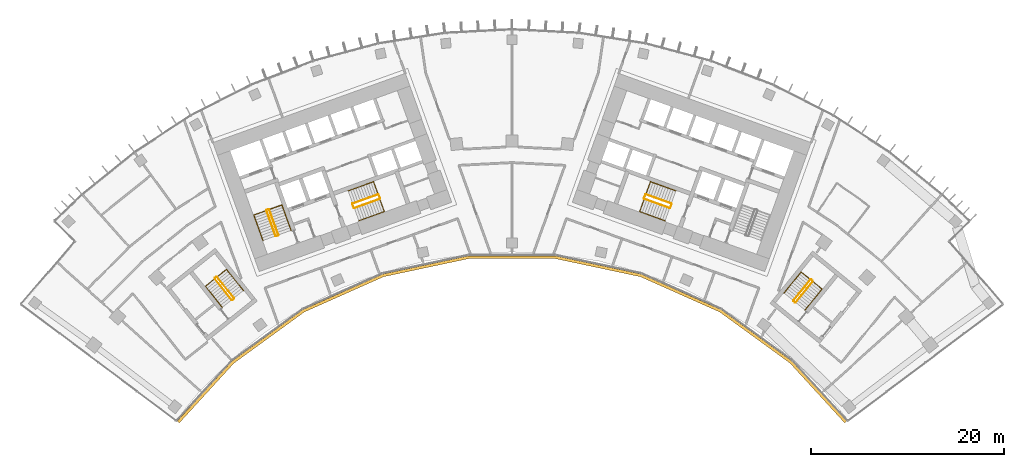
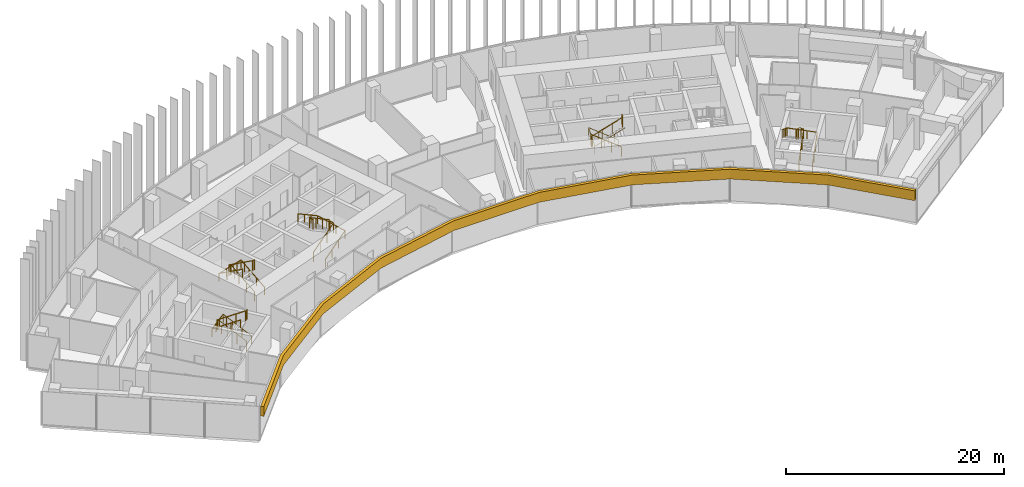
# One storey, part 21 of 22: 15 railings, 1 covering.
"""IFC4 building model written with IfcOpenShell, lengths in metres."""

import ifcopenshell
import ifcopenshell.guid

model = None  # the IFC model being written
_history = None  # IfcOwnerHistory: only IFC2X3 demands one
_inside = {}  # id of a spatial element -> (the spatial element, [elements in it])
_under = {}  # id of a project, library or spatial element -> (it, [spatial elements below it])
_declared = {}  # id of a project -> (the project, [libraries it declares])
_typed = {}  # id of a type object -> (the type object, [elements of that type])
_made_of = {}  # id of a material, layer set ... -> (it, [elements and type objects made of it])


def new_model(schema):
    """Start an empty IFC model of exactly this schema.

    Asked for "IFC4X3", IfcOpenShell would pick the latest addendum, in which some entities
    have other attributes; the version numbers below select the first issue.
    IFC2X3 requires an IfcOwnerHistory on every rooted entity: one is made here for all.
    """
    global model, _history
    if schema == "IFC4X3":
        model = ifcopenshell.file(schema_version=(4, 3, 0, 0))
    else:
        model = ifcopenshell.file(schema=schema)
    _inside.clear()
    _under.clear()
    _declared.clear()
    _typed.clear()
    _made_of.clear()
    _history = None
    if model.schema == "IFC2X3":
        org = make("IfcOrganization", Name="unknown")
        user = make(
            "IfcPersonAndOrganization",
            ThePerson=make("IfcPerson", FamilyName="unknown"),
            TheOrganization=org,
        )
        app = make(
            "IfcApplication",
            ApplicationDeveloper=org,
            Version="unknown",
            ApplicationFullName="unknown",
            ApplicationIdentifier="unknown",
        )
        _history = make(
            "IfcOwnerHistory",
            OwningUser=user,
            OwningApplication=app,
            ChangeAction="ADDED",
            CreationDate=0,
        )
    return model


def make(cls, **values):
    """One entity of the class cls with the attributes given. An attribute that is None is left unset."""
    return model.create_entity(
        cls, **{name: value for name, value in values.items() if value is not None}
    )


def rooted(cls, **values):
    """An entity with a GlobalId (a new one), such as an element, a storey or a relation."""
    return make(cls, GlobalId=ifcopenshell.guid.new(), OwnerHistory=_history, **values)


def si_unit(unit_type, name, prefix=None):
    """IfcSIUnit, for example si_unit("LENGTHUNIT", "METRE", prefix="MILLI")."""
    return make("IfcSIUnit", UnitType=unit_type, Prefix=prefix, Name=name)


def assignment(units):
    """IfcUnitAssignment: the units of a project."""
    return None if units is None else make("IfcUnitAssignment", Units=units)


def point(xyz):
    """IfcCartesianPoint."""
    return None if xyz is None else make("IfcCartesianPoint", Coordinates=xyz)


def direction(xyz):
    """IfcDirection."""
    return None if xyz is None else make("IfcDirection", DirectionRatios=xyz)


def frame(location, z_axis=None, x_axis=None):
    """IfcAxis2Placement3D, a coordinate frame: its origin and axes. An axis left out is left unset."""
    return make(
        "IfcAxis2Placement3D",
        Location=point(location),
        Axis=direction(z_axis),
        RefDirection=direction(x_axis),
    )


def frame_2d(location, x_axis=None):
    """IfcAxis2Placement2D, a coordinate frame in the plane: its origin and x axis."""
    return make(
        "IfcAxis2Placement2D", Location=point(location), RefDirection=direction(x_axis)
    )


def origin():
    """The frame at (0, 0, 0) with its axes left unset."""
    return frame((0.0, 0.0, 0.0))


def origin_2d():
    """The frame at (0, 0) in the plane with its x axis left unset."""
    return frame_2d((0.0, 0.0))


def place(relative_to, where):
    """IfcLocalPlacement: puts the frame where relative to a parent placement (None: the world)."""
    return make(
        "IfcLocalPlacement", PlacementRelTo=relative_to, RelativePlacement=where
    )


def context(
    kind, dimensions, precision=None, world=None, true_north=None, identifier=None
):
    """IfcGeometricRepresentationContext, for example the 3D "Model" context."""
    return make(
        "IfcGeometricRepresentationContext",
        ContextIdentifier=identifier,
        ContextType=kind,
        CoordinateSpaceDimension=dimensions,
        Precision=precision,
        WorldCoordinateSystem=world,
        TrueNorth=true_north,
    )


def subcontext(parent, identifier, kind, view, scale=None):
    """IfcGeometricRepresentationSubContext, for example "Body" below "Model"."""
    return make(
        "IfcGeometricRepresentationSubContext",
        ContextIdentifier=identifier,
        ContextType=kind,
        ParentContext=parent,
        TargetScale=scale,
        TargetView=view,
    )


def project(units=None, contexts=None):
    """IfcProject with its units and contexts."""
    return rooted(
        "IfcProject",
        Name="project",
        RepresentationContexts=contexts,
        UnitsInContext=assignment(units),
    )


def spatial(cls, under=None, at=None, **own):
    """A site, building, storey or space (cls), placed at a placement, below another one or the project."""
    s = rooted(cls, ObjectPlacement=at, **own)
    if under is not None:
        _under.setdefault(under.id(), (under, []))[1].append(s)
    return s


def polyline(points):
    """IfcPolyline through the points."""
    return make("IfcPolyline", Points=[point(p) for p in points])


def profile(cls, at=None, kind="AREA", **sizes):
    """A parametric profile (cls). Its sizes go by their IFC names, for example OverallWidth=200.0."""
    return make(cls, ProfileType=kind, Position=at, **sizes)


def circle(**sizes):
    """IfcCircleProfileDef."""
    return profile("IfcCircleProfileDef", **sizes)


def outline(outer, holes=None, kind="AREA"):
    """IfcArbitraryClosedProfileDef: a profile drawn as a closed curve; with holes, ...WithVoids."""
    if holes is None:
        return make("IfcArbitraryClosedProfileDef", ProfileType=kind, OuterCurve=outer)
    return make(
        "IfcArbitraryProfileDefWithVoids",
        ProfileType=kind,
        OuterCurve=outer,
        InnerCurves=holes,
    )


def extrude(swept, where, along, depth):
    """IfcExtrudedAreaSolid: the profile swept, set in the frame where, extruded along a direction by depth."""
    return make(
        "IfcExtrudedAreaSolid",
        SweptArea=swept,
        Position=where,
        ExtrudedDirection=direction(along),
        Depth=depth,
    )


def shape(context_of_items, identifier, shape_type, items):
    """IfcShapeRepresentation: the items that make up one representation, for example the "Body"."""
    return make(
        "IfcShapeRepresentation",
        ContextOfItems=context_of_items,
        RepresentationIdentifier=identifier,
        RepresentationType=shape_type,
        Items=items,
    )


def material(Name=None, Category=None):
    """IfcMaterial."""
    return make("IfcMaterial", Name=Name, Category=Category)


def layer(
    of_material, thickness, ventilated=None, Name=None, Category=None, Priority=None
):
    """IfcMaterialLayer: one layer of a wall or slab, of a material (None: an air gap)."""
    return make(
        "IfcMaterialLayer",
        Material=of_material,
        LayerThickness=thickness,
        IsVentilated=ventilated,
        Name=Name,
        Category=Category,
        Priority=Priority,
    )


def layer_set(layers, Name=None):
    """IfcMaterialLayerSet."""
    return make("IfcMaterialLayerSet", MaterialLayers=layers, LayerSetName=Name)


def made_of(thing, what):
    """Note that an element or type object is made of a material, layer set ...; save() writes the relation."""
    if what is not None:
        _made_of.setdefault(what.id(), (what, []))[1].append(thing)
    return thing


def type_object(cls, material=None, **own):
    """A type object (cls), such as IfcWallType, which elements share."""
    return made_of(rooted(cls, **own), material)


def element(
    cls,
    number,
    at=None,
    inside=None,
    cuts=None,
    type_object=None,
    material=None,
    context=None,
    identifier="Body",
    shape_type=None,
    held_by="IfcProductDefinitionShape",
    body=None,
    shapes=None,
    **own,
):
    """One element of the class cls, such as IfcWall. Its Tag is "e" and its number.

    at: its placement. inside: the storey or other place that contains it. cuts: it is an
    opening in that element (IfcRelVoidsElement). A single representation is given by context,
    identifier, shape_type and body (its items); several are given by shapes. held_by: the class
    of the entity that holds the representations. save() writes the other relations.
    """
    e = rooted(cls, Tag="e%d" % number, ObjectPlacement=at, **own)
    if body is not None:
        shapes = [shape(context, identifier, shape_type, body)]
    if shapes is not None:
        e.Representation = make(held_by, Representations=shapes)
    if inside is not None:
        _inside.setdefault(inside.id(), (inside, []))[1].append(e)
    if cuts is not None:
        rooted(
            "IfcRelVoidsElement", RelatingBuildingElement=cuts, RelatedOpeningElement=e
        )
    if type_object is not None:
        _typed.setdefault(type_object.id(), (type_object, []))[1].append(e)
    return made_of(e, material)


def aggregate(whole, parts):
    """IfcRelAggregates: a whole, such as a stair, and the parts it consists of."""
    return rooted("IfcRelAggregates", RelatingObject=whole, RelatedObjects=parts)


def save(model, path):
    """Write the relations noted so far, then the file.

    IfcRelAggregates (storeys below a building ...), IfcRelContainedInSpatialStructure (elements
    in a storey), IfcRelDefinesByType, IfcRelAssociatesMaterial and IfcRelDeclares: one each for
    every whole, place, type object, material and project.
    """
    for whole, parts in _under.values():
        aggregate(whole, parts)
    for where, things in _inside.values():
        rooted(
            "IfcRelContainedInSpatialStructure",
            RelatedElements=things,
            RelatingStructure=where,
        )
    for kind, things in _typed.values():
        rooted("IfcRelDefinesByType", RelatedObjects=things, RelatingType=kind)
    for what, things in _made_of.values():
        rooted("IfcRelAssociatesMaterial", RelatedObjects=things, RelatingMaterial=what)
    for by, libraries in _declared.values():
        rooted("IfcRelDeclares", RelatingContext=by, RelatedDefinitions=libraries)
    model.write(path)


model = new_model("IFC4")

# Units and contexts
model_context = context("Model", 3, precision=1e-05, world=origin(), true_north=direction((0.0, 1.0)))
body_context = subcontext(model_context, "Body", "Model", "MODEL_VIEW")
ifc_project = project(units=[si_unit("LENGTHUNIT", "METRE"), si_unit("AREAUNIT", "SQUARE_METRE"), si_unit("VOLUMEUNIT", "CUBIC_METRE"), si_unit("PLANEANGLEUNIT", "RADIAN"), si_unit("MASSUNIT", "GRAM", prefix="KILO")], contexts=[model_context])

# Site, building, storey
site_placement = place(None, origin())
site = spatial("IfcSite", under=ifc_project, at=site_placement, CompositionType="ELEMENT")
building_placement = place(site_placement, origin())
building = spatial("IfcBuilding", under=site, at=building_placement, Name="Stone Belt Terrace Tower", CompositionType="ELEMENT")
storey_placement = place(building_placement, frame((0.0, 0.0, 155.39990234375)))
storey = spatial("IfcBuildingStorey", under=building, at=storey_placement, Name="L37", CompositionType="ELEMENT", Elevation=155.39990234375)

# Railings
ifc_material_1 = material(Name="Structural steel C345", Category="steel")
railing_type_1 = type_object("IfcRailingType", Name="Stair guard 1100", PredefinedType="GUARDRAIL", material=ifc_material_1)
railing_1_placement = place(storey_placement, frame((-24.2119140625, 45.276123046875, 0.1728515625)))
element("IfcRailing", 1, at=railing_1_placement, inside=storey, type_object=railing_type_1, Name="L37 ST1A stair guard 1", PredefinedType="GUARDRAIL", context=body_context, shape_type="SweptSolid", body=[
    extrude(circle(Radius=0.02392578125, at=origin_2d()), frame((0.0, 0.0, 1.076171875), z_axis=(-0.288228637646, 0.800791768495, 0.525030280985), x_axis=(-0.940908529223, -0.338660803216, 0.0)), (0.0, 0.0, 1.0), 3.289794921875),
    extrude(circle(Radius=0.02392578125, at=origin_2d()), frame((-0.9482421875, 2.634521484375, 2.80322265625), z_axis=(-0.905209821074, 0.424964916, 0.0), x_axis=(-0.424964916, -0.905209821074, 0.0)), (0.0, 0.0, 1.0), 0.070556640625),
    extrude(circle(Radius=0.02392578125, at=origin_2d()), frame((-1.01220703125, 2.66455078125, 2.80322265625), z_axis=(-0.941105063269, -0.338114270461, 0.0), x_axis=(0.338114270461, -0.941105063269, 0.0)), (0.0, 0.0, 1.0), 0.199951171875),
    extrude(circle(Radius=0.02099609375, at=origin_2d()), origin(), (0.0, 0.0, 1.0), 1.052001953125),
    extrude(circle(Radius=0.02099609375, at=origin_2d()), frame((-0.316162109375, 0.878173828125, 0.57568359375)), (0.0, 0.0, 1.0), 1.052001953125),
    extrude(circle(Radius=0.02099609375, at=origin_2d()), frame((-0.632080078125, 1.75634765625, 1.151611328125)), (0.0, 0.0, 1.0), 1.052001953125),
    extrude(circle(Radius=0.02099609375, at=origin_2d()), frame((-0.9482421875, 2.634521484375, 1.727294921875)), (0.0, 0.0, 1.0), 1.052001953125),
    extrude(circle(Radius=0.02099609375, at=origin_2d()), frame((-1.01220703125, 2.66455078125, 1.727294921875)), (0.0, 0.0, 1.0), 1.052001953125),
    extrude(circle(Radius=0.02099609375, at=origin_2d()), frame((-1.200439453125, 2.596923828125, 1.727294921875)), (0.0, 0.0, 1.0), 1.052001953125),
])
railing_2_placement = place(storey_placement, frame((-25.4423828125, 47.80908203125, 2.07275390625)))
element("IfcRailing", 2, at=railing_2_placement, inside=storey, type_object=railing_type_1, Name="L37 ST1A stair guard 2", PredefinedType="GUARDRAIL", context=body_context, shape_type="SweptSolid", body=[
    extrude(circle(Radius=0.02392578125, at=origin_2d()), frame((0.0, 0.0, 1.076171875), z_axis=(0.288228637646, -0.800791768495, 0.525030280985), x_axis=(0.940908529223, 0.338660803216, 0.0)), (0.0, 0.0, 1.0), 3.289794921875),
    extrude(circle(Radius=0.02392578125, at=origin_2d()), frame((0.9482421875, -2.634521484375, 2.80322265625), z_axis=(0.903878284585, -0.427789722475, 0.0), x_axis=(0.427789722475, 0.903878284585, 0.0)), (0.0, 0.0, 1.0), 0.07080078125),
    extrude(circle(Radius=0.02392578125, at=origin_2d()), frame((1.01220703125, -2.664794921875, 2.80322265625), z_axis=(0.940575576748, 0.339584429008, 0.0), x_axis=(-0.339584429008, 0.940575576748, 0.0)), (0.0, 0.0, 1.0), 0.199951171875),
    extrude(circle(Radius=0.02099609375, at=origin_2d()), origin(), (0.0, 0.0, 1.0), 1.052001953125),
    extrude(circle(Radius=0.02099609375, at=origin_2d()), frame((0.316162109375, -0.878173828125, 0.57568359375)), (0.0, 0.0, 1.0), 1.052001953125),
    extrude(circle(Radius=0.02099609375, at=origin_2d()), frame((0.632080078125, -1.75634765625, 1.151611328125)), (0.0, 0.0, 1.0), 1.052001953125),
    extrude(circle(Radius=0.02099609375, at=origin_2d()), frame((0.9482421875, -2.634521484375, 1.727294921875)), (0.0, 0.0, 1.0), 1.052001953125),
    extrude(circle(Radius=0.02099609375, at=origin_2d()), frame((1.01220703125, -2.664794921875, 1.727294921875)), (0.0, 0.0, 1.0), 1.052001953125),
    extrude(circle(Radius=0.02099609375, at=origin_2d()), frame((1.2001953125, -2.596923828125, 1.727294921875)), (0.0, 0.0, 1.0), 1.052001953125),
])
railing_3_placement = place(storey_placement, frame((-16.33837890625, 48.056640625, 0.1728515625)))
element("IfcRailing", 3, at=railing_3_placement, inside=storey, type_object=railing_type_1, Name="L37 ST2A stair guard 1", PredefinedType="GUARDRAIL", context=body_context, shape_type="SweptSolid", body=[
    extrude(circle(Radius=0.02392578125, at=origin_2d()), frame((0.0, 0.0, 1.076171875), z_axis=(0.800808895155, 0.288160591223, 0.52504150989), x_axis=(-0.338583606334, 0.940936311087, 0.0)), (0.0, 0.0, 1.0), 3.289794921875),
    extrude(circle(Radius=0.02392578125, at=origin_2d()), frame((2.634521484375, 0.947998046875, 2.80322265625), z_axis=(0.427789722475, 0.903878284585, 0.0), x_axis=(-0.903878284585, 0.427789722475, 0.0)), (0.0, 0.0, 1.0), 0.07080078125),
    extrude(circle(Radius=0.02392578125, at=origin_2d()), frame((2.664794921875, 1.011962890625, 2.80322265625), z_axis=(-0.338654645739, 0.940910745459, 0.0), x_axis=(-0.940910745459, -0.338654645739, 0.0)), (0.0, 0.0, 1.0), 0.400146484375),
    extrude(circle(Radius=0.02099609375, at=origin_2d()), origin(), (0.0, 0.0, 1.0), 1.052001953125),
    extrude(circle(Radius=0.02099609375, at=origin_2d()), frame((0.878173828125, 0.31591796875, 0.57568359375)), (0.0, 0.0, 1.0), 1.052001953125),
    extrude(circle(Radius=0.02099609375, at=origin_2d()), frame((1.75634765625, 0.632080078125, 1.151611328125)), (0.0, 0.0, 1.0), 1.052001953125),
    extrude(circle(Radius=0.02099609375, at=origin_2d()), frame((2.634521484375, 0.947998046875, 1.727294921875)), (0.0, 0.0, 1.0), 1.052001953125),
    extrude(circle(Radius=0.02099609375, at=origin_2d()), frame((2.664794921875, 1.011962890625, 1.727294921875)), (0.0, 0.0, 1.0), 1.052001953125),
    extrude(circle(Radius=0.02099609375, at=origin_2d()), frame((2.529296875, 1.388427734375, 1.727294921875)), (0.0, 0.0, 1.0), 1.052001953125),
])
railing_4_placement = place(storey_placement, frame((-13.873046875, 49.47509765625, 2.07275390625)))
element("IfcRailing", 4, at=railing_4_placement, inside=storey, type_object=railing_type_1, Name="L37 ST2A stair guard 2", PredefinedType="GUARDRAIL", context=body_context, shape_type="SweptSolid", body=[
    extrude(circle(Radius=0.02392578125, at=origin_2d()), frame((0.0, 0.0, 1.076171875), z_axis=(-0.800808895155, -0.288160591223, 0.52504150989), x_axis=(0.338583606334, -0.940936311087, 0.0)), (0.0, 0.0, 1.0), 3.289794921875),
    extrude(circle(Radius=0.02392578125, at=origin_2d()), frame((-2.634521484375, -0.947998046875, 2.80322265625), z_axis=(-0.427789722475, -0.903878284585, 0.0), x_axis=(0.903878284585, -0.427789722475, 0.0)), (0.0, 0.0, 1.0), 0.07080078125),
    extrude(circle(Radius=0.02392578125, at=origin_2d()), frame((-2.664794921875, -1.011962890625, 2.80322265625), z_axis=(0.338654645739, -0.940910745459, 0.0), x_axis=(0.940910745459, 0.338654645739, 0.0)), (0.0, 0.0, 1.0), 0.400146484375),
    extrude(circle(Radius=0.02099609375, at=origin_2d()), origin(), (0.0, 0.0, 1.0), 1.052001953125),
    extrude(circle(Radius=0.02099609375, at=origin_2d()), frame((-0.878173828125, -0.31591796875, 0.57568359375)), (0.0, 0.0, 1.0), 1.052001953125),
    extrude(circle(Radius=0.02099609375, at=origin_2d()), frame((-1.75634765625, -0.632080078125, 1.151611328125)), (0.0, 0.0, 1.0), 1.052001953125),
    extrude(circle(Radius=0.02099609375, at=origin_2d()), frame((-2.634521484375, -0.947998046875, 1.727294921875)), (0.0, 0.0, 1.0), 1.052001953125),
    extrude(circle(Radius=0.02099609375, at=origin_2d()), frame((-2.664794921875, -1.011962890625, 1.727294921875)), (0.0, 0.0, 1.0), 1.052001953125),
    extrude(circle(Radius=0.02099609375, at=origin_2d()), frame((-2.529296875, -1.388427734375, 1.727294921875)), (0.0, 0.0, 1.0), 1.052001953125),
])
railing_5_placement = place(storey_placement, frame((16.507568359375, 48.527099609375, 0.1728515625)))
element("IfcRailing", 5, at=railing_5_placement, inside=storey, type_object=railing_type_1, Name="L37 ST2B stair guard 1", PredefinedType="GUARDRAIL", context=body_context, shape_type="SweptSolid", body=[
    extrude(circle(Radius=0.02392578125, at=origin_2d()), frame((0.0, 0.0, 1.076171875), z_axis=(-0.800808895155, 0.288160591223, 0.52504150989), x_axis=(-0.338583606334, -0.940936311087, 0.0)), (0.0, 0.0, 1.0), 3.289794921875),
    extrude(circle(Radius=0.02392578125, at=origin_2d()), frame((-2.634521484375, 0.947998046875, 2.80322265625), z_axis=(-0.905209821074, -0.424964916, 0.0), x_axis=(0.424964916, -0.905209821074, 0.0)), (0.0, 0.0, 1.0), 0.070556640625),
    extrude(circle(Radius=0.02392578125, at=origin_2d()), frame((-2.698486328125, 0.91796875, 2.80322265625), z_axis=(-0.338654645739, -0.940910745459, 0.0), x_axis=(0.940910745459, -0.338654645739, 0.0)), (0.0, 0.0, 1.0), 0.400146484375),
    extrude(circle(Radius=0.02099609375, at=origin_2d()), origin(), (0.0, 0.0, 1.0), 1.052001953125),
    extrude(circle(Radius=0.02099609375, at=origin_2d()), frame((-0.878173828125, 0.31591796875, 0.57568359375)), (0.0, 0.0, 1.0), 1.052001953125),
    extrude(circle(Radius=0.02099609375, at=origin_2d()), frame((-1.75634765625, 0.632080078125, 1.151611328125)), (0.0, 0.0, 1.0), 1.052001953125),
    extrude(circle(Radius=0.02099609375, at=origin_2d()), frame((-2.634521484375, 0.947998046875, 1.727294921875)), (0.0, 0.0, 1.0), 1.052001953125),
    extrude(circle(Radius=0.02099609375, at=origin_2d()), frame((-2.698486328125, 0.91796875, 1.727294921875)), (0.0, 0.0, 1.0), 1.052001953125),
    extrude(circle(Radius=0.02099609375, at=origin_2d()), frame((-2.833984375, 0.54150390625, 1.727294921875)), (0.0, 0.0, 1.0), 1.052001953125),
])
railing_6_placement = place(storey_placement, frame((13.703857421875, 49.004638671875, 2.07275390625)))
element("IfcRailing", 6, at=railing_6_placement, inside=storey, type_object=railing_type_1, Name="L37 ST2B stair guard 2", PredefinedType="GUARDRAIL", context=body_context, shape_type="SweptSolid", body=[
    extrude(circle(Radius=0.02392578125, at=origin_2d()), frame((0.0, 0.0, 1.076171875), z_axis=(0.800808895155, -0.288160591223, 0.52504150989), x_axis=(0.338583606334, 0.940936311087, 0.0)), (0.0, 0.0, 1.0), 3.289794921875),
    extrude(circle(Radius=0.02392578125, at=origin_2d()), frame((2.634521484375, -0.947998046875, 2.80322265625), z_axis=(0.905209821074, 0.424964916, 0.0), x_axis=(-0.424964916, 0.905209821074, 0.0)), (0.0, 0.0, 1.0), 0.070556640625),
    extrude(circle(Radius=0.02392578125, at=origin_2d()), frame((2.698486328125, -0.91796875, 2.80322265625), z_axis=(0.338654645739, 0.940910745459, 0.0), x_axis=(-0.940910745459, 0.338654645739, 0.0)), (0.0, 0.0, 1.0), 0.400146484375),
    extrude(circle(Radius=0.02099609375, at=origin_2d()), origin(), (0.0, 0.0, 1.0), 1.052001953125),
    extrude(circle(Radius=0.02099609375, at=origin_2d()), frame((0.878173828125, -0.31591796875, 0.57568359375)), (0.0, 0.0, 1.0), 1.052001953125),
    extrude(circle(Radius=0.02099609375, at=origin_2d()), frame((1.75634765625, -0.632080078125, 1.151611328125)), (0.0, 0.0, 1.0), 1.052001953125),
    extrude(circle(Radius=0.02099609375, at=origin_2d()), frame((2.634521484375, -0.947998046875, 1.727294921875)), (0.0, 0.0, 1.0), 1.052001953125),
    extrude(circle(Radius=0.02099609375, at=origin_2d()), frame((2.698486328125, -0.91796875, 1.727294921875)), (0.0, 0.0, 1.0), 1.052001953125),
    extrude(circle(Radius=0.02099609375, at=origin_2d()), frame((2.833984375, -0.54150390625, 1.727294921875)), (0.0, 0.0, 1.0), 1.052001953125),
])
railing_7_placement = place(storey_placement, frame((-28.814208984375, 38.734619140625, 0.1728515625)))
element("IfcRailing", 7, at=railing_7_placement, inside=storey, type_object=railing_type_1, Name="L37 ST3A stair guard 1", PredefinedType="GUARDRAIL", context=body_context, shape_type="SweptSolid", body=[
    extrude(circle(Radius=0.02392578125, at=origin_2d()), frame((0.0, 0.0, 1.076171875), z_axis=(-0.530306321799, 0.665665785969, 0.525037395288), x_axis=(-0.782143211408, -0.623098705543, 0.0)), (0.0, 0.0, 1.0), 3.289794921875),
    extrude(circle(Radius=0.02392578125, at=origin_2d()), frame((-1.74462890625, 2.18994140625, 2.80322265625), z_axis=(-0.993883734674, 0.110431526075, 0.0), x_axis=(-0.110431526075, -0.993883734674, 0.0)), (0.0, 0.0, 1.0), 0.07080078125),
    extrude(circle(Radius=0.02392578125, at=origin_2d()), frame((-1.81494140625, 2.19775390625, 2.80322265625), z_axis=(-0.782533463299, -0.622608527742, 0.0), x_axis=(0.622608527742, -0.782533463299, 0.0)), (0.0, 0.0, 1.0), 0.199951171875),
    extrude(circle(Radius=0.02099609375, at=origin_2d()), origin(), (0.0, 0.0, 1.0), 1.052001953125),
    extrude(circle(Radius=0.02099609375, at=origin_2d()), frame((-0.58154296875, 0.72998046875, 0.57568359375)), (0.0, 0.0, 1.0), 1.052001953125),
    extrude(circle(Radius=0.02099609375, at=origin_2d()), frame((-1.1630859375, 1.4599609375, 1.151611328125)), (0.0, 0.0, 1.0), 1.052001953125),
    extrude(circle(Radius=0.02099609375, at=origin_2d()), frame((-1.74462890625, 2.18994140625, 1.727294921875)), (0.0, 0.0, 1.0), 1.052001953125),
    extrude(circle(Radius=0.02099609375, at=origin_2d()), frame((-1.81494140625, 2.19775390625, 1.727294921875)), (0.0, 0.0, 1.0), 1.052001953125),
    extrude(circle(Radius=0.02099609375, at=origin_2d()), frame((-1.971435546875, 2.0732421875, 1.727294921875)), (0.0, 0.0, 1.0), 1.052001953125),
])
railing_8_placement = place(storey_placement, frame((-30.793701171875, 40.737548828125, 2.07275390625)))
element("IfcRailing", 8, at=railing_8_placement, inside=storey, type_object=railing_type_1, Name="L37 ST3A stair guard 2", PredefinedType="GUARDRAIL", context=body_context, shape_type="SweptSolid", body=[
    extrude(circle(Radius=0.02392578125, at=origin_2d()), frame((0.0, 0.0, 1.076171875), z_axis=(0.530359659125, -0.665639588968, 0.525016732659), x_axis=(0.782100716982, 0.62315204284, 0.0)), (0.0, 0.0, 1.0), 3.2900390625),
    extrude(circle(Radius=0.02392578125, at=origin_2d()), frame((1.744873046875, -2.18994140625, 2.80322265625), z_axis=(0.993499272973, -0.113838458361, 0.0), x_axis=(0.113838458361, 0.993499272973, 0.0)), (0.0, 0.0, 1.0), 0.07080078125),
    extrude(circle(Radius=0.02392578125, at=origin_2d()), frame((1.815185546875, -2.197998046875, 2.80322265625), z_axis=(0.781464082609, 0.623950228458, 0.0), x_axis=(-0.623950228458, 0.781464082609, 0.0)), (0.0, 0.0, 1.0), 0.199951171875),
    extrude(circle(Radius=0.02099609375, at=origin_2d()), origin(), (0.0, 0.0, 1.0), 1.052001953125),
    extrude(circle(Radius=0.02099609375, at=origin_2d()), frame((0.58154296875, -0.72998046875, 0.57568359375)), (0.0, 0.0, 1.0), 1.052001953125),
    extrude(circle(Radius=0.02099609375, at=origin_2d()), frame((1.163330078125, -1.4599609375, 1.151611328125)), (0.0, 0.0, 1.0), 1.052001953125),
    extrude(circle(Radius=0.02099609375, at=origin_2d()), frame((1.744873046875, -2.18994140625, 1.727294921875)), (0.0, 0.0, 1.0), 1.052001953125),
    extrude(circle(Radius=0.02099609375, at=origin_2d()), frame((1.815185546875, -2.197998046875, 1.727294921875)), (0.0, 0.0, 1.0), 1.052001953125),
    extrude(circle(Radius=0.02099609375, at=origin_2d()), frame((1.971435546875, -2.0732421875, 1.727294921875)), (0.0, 0.0, 1.0), 1.052001953125),
])
railing_9_placement = place(storey_placement, frame((29.39794921875, 38.281982421875, 0.1728515625)))
element("IfcRailing", 9, at=railing_9_placement, inside=storey, type_object=railing_type_1, Name="L37 ST3B stair guard 1", PredefinedType="GUARDRAIL", context=body_context, shape_type="SweptSolid", body=[
    extrude(circle(Radius=0.02392578125, at=origin_2d()), frame((0.0, 0.0, 1.076171875), z_axis=(0.536393061503, 0.660769759217, 0.525038864158), x_axis=(-0.776391310223, 0.630251166924, 0.0)), (0.0, 0.0, 1.0), 3.289794921875),
    extrude(circle(Radius=0.02392578125, at=origin_2d()), frame((1.7646484375, 2.173828125, 2.80322265625), z_axis=(-0.103251414163, 0.994655289773, 0.0), x_axis=(-0.994655289773, -0.103251414163, 0.0)), (0.0, 0.0, 1.0), 0.071044921875),
    extrude(circle(Radius=0.02392578125, at=origin_2d()), frame((1.75732421875, 2.244384765625, 2.80322265625), z_axis=(-0.776561986372, 0.630040856868, 0.0), x_axis=(-0.630040856868, -0.776561986372, 0.0)), (0.0, 0.0, 1.0), 0.199951171875),
    extrude(circle(Radius=0.02099609375, at=origin_2d()), origin(), (0.0, 0.0, 1.0), 1.052001953125),
    extrude(circle(Radius=0.02099609375, at=origin_2d()), frame((0.588134765625, 0.724609375, 0.57568359375)), (0.0, 0.0, 1.0), 1.052001953125),
    extrude(circle(Radius=0.02099609375, at=origin_2d()), frame((1.176513671875, 1.44921875, 1.151611328125)), (0.0, 0.0, 1.0), 1.052001953125),
    extrude(circle(Radius=0.02099609375, at=origin_2d()), frame((1.7646484375, 2.173828125, 1.727294921875)), (0.0, 0.0, 1.0), 1.052001953125),
    extrude(circle(Radius=0.02099609375, at=origin_2d()), frame((1.75732421875, 2.244384765625, 1.727294921875)), (0.0, 0.0, 1.0), 1.052001953125),
    extrude(circle(Radius=0.02099609375, at=origin_2d()), frame((1.60205078125, 2.370361328125, 1.727294921875)), (0.0, 0.0, 1.0), 1.052001953125),
])
railing_10_placement = place(storey_placement, frame((30.9296875, 40.64501953125, 2.07275390625)))
element("IfcRailing", 10, at=railing_10_placement, inside=storey, type_object=railing_type_1, Name="L37 ST3B stair guard 2", PredefinedType="GUARDRAIL", context=body_context, shape_type="SweptSolid", body=[
    extrude(circle(Radius=0.02392578125, at=origin_2d()), frame((0.0, 0.0, 1.076171875), z_axis=(-0.536366759382, -0.660811565066, 0.525013118792), x_axis=(0.776425942316, -0.630208502084, 0.0)), (0.0, 0.0, 1.0), 3.2900390625),
    extrude(circle(Radius=0.02392578125, at=origin_2d()), frame((-1.7646484375, -2.174072265625, 2.80322265625), z_axis=(0.103606084259, -0.994618408891, 0.0), x_axis=(0.994618408891, 0.103606084259, 0.0)), (0.0, 0.0, 1.0), 0.07080078125),
    extrude(circle(Radius=0.02392578125, at=origin_2d()), frame((-1.75732421875, -2.244384765625, 2.80322265625), z_axis=(0.776561986372, -0.630040856868, 0.0), x_axis=(0.630040856868, 0.776561986372, 0.0)), (0.0, 0.0, 1.0), 0.199951171875),
    extrude(circle(Radius=0.02099609375, at=origin_2d()), origin(), (0.0, 0.0, 1.0), 1.052001953125),
    extrude(circle(Radius=0.02099609375, at=origin_2d()), frame((-0.588134765625, -0.724609375, 0.57568359375)), (0.0, 0.0, 1.0), 1.052001953125),
    extrude(circle(Radius=0.02099609375, at=origin_2d()), frame((-1.176513671875, -1.449462890625, 1.151611328125)), (0.0, 0.0, 1.0), 1.052001953125),
    extrude(circle(Radius=0.02099609375, at=origin_2d()), frame((-1.7646484375, -2.174072265625, 1.727294921875)), (0.0, 0.0, 1.0), 1.052001953125),
    extrude(circle(Radius=0.02099609375, at=origin_2d()), frame((-1.75732421875, -2.244384765625, 1.727294921875)), (0.0, 0.0, 1.0), 1.052001953125),
    extrude(circle(Radius=0.02099609375, at=origin_2d()), frame((-1.60205078125, -2.370361328125, 1.727294921875)), (0.0, 0.0, 1.0), 1.052001953125),
])
railing_type_2 = type_object("IfcRailingType", Name="Stair handrail 900", PredefinedType="HANDRAIL", material=ifc_material_1)
railing_11_placement = place(storey_placement, frame((-22.894775390625, 45.750244140625, 0.1728515625)))
element("IfcRailing", 11, at=railing_11_placement, inside=storey, type_object=railing_type_2, Name="L37 ST1A stair handrail 1", PredefinedType="HANDRAIL", context=body_context, shape_type="SweptSolid", body=[
    extrude(circle(Radius=0.02392578125, at=origin_2d()), frame((0.0, 0.0, 0.8759765625), z_axis=(-0.288160591223, 0.800808895155, 0.52504150989), x_axis=(-0.940936311087, -0.338583606334, 0.0)), (0.0, 0.0, 1.0), 3.289794921875),
    extrude(circle(Radius=0.02392578125, at=origin_2d()), frame((-0.947998046875, 2.634521484375, 2.60302734375), z_axis=(-0.939464517435, -0.338106580597, 0.055591012205), x_axis=(0.338630230244, -0.940919532779, 0.0)), (0.0, 0.0, 1.0), 3.10498046875),
    extrude(circle(Radius=0.02392578125, at=origin_2d()), frame((-3.864990234375, 1.584716796875, 2.77587890625), z_axis=(0.288228637646, -0.800791768495, 0.525030280985), x_axis=(0.940908529223, 0.338660803216, 0.0)), (0.0, 0.0, 1.0), 3.289794921875),
    extrude(circle(Radius=0.02099609375, at=origin_2d()), origin(), (0.0, 0.0, 1.0), 0.851806640625),
    extrude(circle(Radius=0.02099609375, at=origin_2d()), frame((-0.31591796875, 0.878173828125, 0.57568359375)), (0.0, 0.0, 1.0), 0.851806640625),
    extrude(circle(Radius=0.02099609375, at=origin_2d()), frame((-0.632080078125, 1.75634765625, 1.151611328125)), (0.0, 0.0, 1.0), 0.851806640625),
    extrude(circle(Radius=0.02099609375, at=origin_2d()), frame((-0.947998046875, 2.634521484375, 1.727294921875)), (0.0, 0.0, 1.0), 0.851806640625),
    extrude(circle(Radius=0.02099609375, at=origin_2d()), frame((-1.92041015625, 2.28466796875, 1.784912109375)), (0.0, 0.0, 1.0), 0.851806640625),
    extrude(circle(Radius=0.02099609375, at=origin_2d()), frame((-2.892578125, 1.9345703125, 1.84228515625)), (0.0, 0.0, 1.0), 0.851806640625),
    extrude(circle(Radius=0.02099609375, at=origin_2d()), frame((-3.864990234375, 1.584716796875, 1.89990234375)), (0.0, 0.0, 1.0), 0.851806640625),
    extrude(circle(Radius=0.02099609375, at=origin_2d()), frame((-3.548828125, 0.70654296875, 2.4755859375)), (0.0, 0.0, 1.0), 0.851806640625),
    extrude(circle(Radius=0.02099609375, at=origin_2d()), frame((-3.23291015625, -0.171630859375, 3.051513671875)), (0.0, 0.0, 1.0), 0.851806640625),
    extrude(circle(Radius=0.02099609375, at=origin_2d()), frame((-2.916748046875, -1.0498046875, 3.627197265625)), (0.0, 0.0, 1.0), 0.851806640625),
])
railing_12_placement = place(storey_placement, frame((-15.8642578125, 46.7392578125, 0.1728515625)))
element("IfcRailing", 12, at=railing_12_placement, inside=storey, type_object=railing_type_2, Name="L37 ST2A stair handrail 1", PredefinedType="HANDRAIL", context=body_context, shape_type="SweptSolid", body=[
    extrude(circle(Radius=0.02392578125, at=origin_2d()), frame((0.0, 0.0, 0.8759765625), z_axis=(0.800791768495, 0.288228637646, 0.525030280985), x_axis=(-0.338660803216, 0.940908529223, 0.0)), (0.0, 0.0, 1.0), 3.289794921875),
    extrude(circle(Radius=0.02392578125, at=origin_2d()), frame((2.634521484375, 0.9482421875, 2.60302734375), z_axis=(-0.338160254016, 0.939637778147, 0.052234935458), x_axis=(-0.940922302781, -0.338622533404, 0.0)), (0.0, 0.0, 1.0), 3.304443359375),
    extrude(circle(Radius=0.02392578125, at=origin_2d()), frame((1.51708984375, 4.05322265625, 2.77587890625), z_axis=(-0.800791768495, -0.288228637646, 0.525030280985), x_axis=(0.338660803216, -0.940908529223, 0.0)), (0.0, 0.0, 1.0), 3.289794921875),
    extrude(circle(Radius=0.02099609375, at=origin_2d()), origin(), (0.0, 0.0, 1.0), 0.851806640625),
    extrude(circle(Radius=0.02099609375, at=origin_2d()), frame((0.878173828125, 0.316162109375, 0.57568359375)), (0.0, 0.0, 1.0), 0.851806640625),
    extrude(circle(Radius=0.02099609375, at=origin_2d()), frame((1.75634765625, 0.632080078125, 1.151611328125)), (0.0, 0.0, 1.0), 0.851806640625),
    extrude(circle(Radius=0.02099609375, at=origin_2d()), frame((2.634521484375, 0.9482421875, 1.727294921875)), (0.0, 0.0, 1.0), 0.851806640625),
    extrude(circle(Radius=0.02099609375, at=origin_2d()), frame((2.261962890625, 1.983154296875, 1.784912109375)), (0.0, 0.0, 1.0), 0.851806640625),
    extrude(circle(Radius=0.02099609375, at=origin_2d()), frame((1.8896484375, 3.018310546875, 1.84228515625)), (0.0, 0.0, 1.0), 0.851806640625),
    extrude(circle(Radius=0.02099609375, at=origin_2d()), frame((1.51708984375, 4.05322265625, 1.89990234375)), (0.0, 0.0, 1.0), 0.851806640625),
    extrude(circle(Radius=0.02099609375, at=origin_2d()), frame((0.638916015625, 3.737060546875, 2.4755859375)), (0.0, 0.0, 1.0), 0.851806640625),
    extrude(circle(Radius=0.02099609375, at=origin_2d()), frame((-0.2392578125, 3.421142578125, 3.051513671875)), (0.0, 0.0, 1.0), 0.851806640625),
    extrude(circle(Radius=0.02099609375, at=origin_2d()), frame((-1.117431640625, 3.10498046875, 3.627197265625)), (0.0, 0.0, 1.0), 0.851806640625),
])
railing_13_placement = place(storey_placement, frame((16.981689453125, 49.84423828125, 0.1728515625)))
element("IfcRailing", 13, at=railing_13_placement, inside=storey, type_object=railing_type_2, Name="L37 ST2B stair handrail 1", PredefinedType="HANDRAIL", context=body_context, shape_type="SweptSolid", body=[
    extrude(circle(Radius=0.02392578125, at=origin_2d()), frame((0.0, 0.0, 0.8759765625), z_axis=(-0.800791768495, 0.288228637646, 0.525030280985), x_axis=(-0.338660803216, -0.940908529223, 0.0)), (0.0, 0.0, 1.0), 3.289794921875),
    extrude(circle(Radius=0.02392578125, at=origin_2d()), frame((-2.634521484375, 0.9482421875, 2.60302734375), z_axis=(-0.338160254016, -0.939637778147, 0.052234935458), x_axis=(0.940922302781, -0.338622533404, 0.0)), (0.0, 0.0, 1.0), 3.304443359375),
    extrude(circle(Radius=0.02392578125, at=origin_2d()), frame((-3.751953125, -2.15673828125, 2.77587890625), z_axis=(0.800791768495, -0.288228637646, 0.525030280985), x_axis=(0.338660803216, 0.940908529223, 0.0)), (0.0, 0.0, 1.0), 3.289794921875),
    extrude(circle(Radius=0.02099609375, at=origin_2d()), origin(), (0.0, 0.0, 1.0), 0.851806640625),
    extrude(circle(Radius=0.02099609375, at=origin_2d()), frame((-0.878173828125, 0.316162109375, 0.57568359375)), (0.0, 0.0, 1.0), 0.851806640625),
    extrude(circle(Radius=0.02099609375, at=origin_2d()), frame((-1.75634765625, 0.632080078125, 1.151611328125)), (0.0, 0.0, 1.0), 0.851806640625),
    extrude(circle(Radius=0.02099609375, at=origin_2d()), frame((-2.634521484375, 0.9482421875, 1.727294921875)), (0.0, 0.0, 1.0), 0.851806640625),
    extrude(circle(Radius=0.02099609375, at=origin_2d()), frame((-3.007080078125, -0.086669921875, 1.784912109375)), (0.0, 0.0, 1.0), 0.851806640625),
    extrude(circle(Radius=0.02099609375, at=origin_2d()), frame((-3.37939453125, -1.121826171875, 1.84228515625)), (0.0, 0.0, 1.0), 0.851806640625),
    extrude(circle(Radius=0.02099609375, at=origin_2d()), frame((-3.751953125, -2.15673828125, 1.89990234375)), (0.0, 0.0, 1.0), 0.851806640625),
    extrude(circle(Radius=0.02099609375, at=origin_2d()), frame((-2.873779296875, -2.472900390625, 2.4755859375)), (0.0, 0.0, 1.0), 0.851806640625),
    extrude(circle(Radius=0.02099609375, at=origin_2d()), frame((-1.99560546875, -2.788818359375, 3.051513671875)), (0.0, 0.0, 1.0), 0.851806640625),
    extrude(circle(Radius=0.02099609375, at=origin_2d()), frame((-1.117431640625, -3.10498046875, 3.627197265625)), (0.0, 0.0, 1.0), 0.851806640625),
])
railing_14_placement = place(storey_placement, frame((-27.836669921875, 39.513427734375, 0.1728515625)))
element("IfcRailing", 14, at=railing_14_placement, inside=storey, type_object=railing_type_2, Name="L37 ST3A stair handrail 1", PredefinedType="HANDRAIL", context=body_context, shape_type="SweptSolid", body=[
    extrude(circle(Radius=0.02392578125, at=origin_2d()), frame((0.0, 0.0, 0.8759765625), z_axis=(-0.530306321799, 0.665665785969, 0.525037395288), x_axis=(-0.782143211408, -0.623098705543, 0.0)), (0.0, 0.0, 1.0), 3.289794921875),
    extrude(circle(Radius=0.02392578125, at=origin_2d()), frame((-1.74462890625, 2.18994140625, 2.60302734375), z_axis=(-0.780661215256, -0.62191806513, 0.061530376721), x_axis=(0.623098705543, -0.782143211408, 0.0)), (0.0, 0.0, 1.0), 2.80517578125),
    extrude(circle(Radius=0.02392578125, at=origin_2d()), frame((-3.9345703125, 0.4453125, 2.77587890625), z_axis=(0.530306321799, -0.665665785969, 0.525037395288), x_axis=(0.782143211408, 0.623098705543, 0.0)), (0.0, 0.0, 1.0), 3.289794921875),
    extrude(circle(Radius=0.02099609375, at=origin_2d()), origin(), (0.0, 0.0, 1.0), 0.851806640625),
    extrude(circle(Radius=0.02099609375, at=origin_2d()), frame((-0.58154296875, 0.72998046875, 0.57568359375)), (0.0, 0.0, 1.0), 0.851806640625),
    extrude(circle(Radius=0.02099609375, at=origin_2d()), frame((-1.1630859375, 1.4599609375, 1.151611328125)), (0.0, 0.0, 1.0), 0.851806640625),
    extrude(circle(Radius=0.02099609375, at=origin_2d()), frame((-1.74462890625, 2.18994140625, 1.727294921875)), (0.0, 0.0, 1.0), 0.851806640625),
    extrude(circle(Radius=0.02099609375, at=origin_2d()), frame((-2.474609375, 1.6083984375, 1.784912109375)), (0.0, 0.0, 1.0), 0.851806640625),
    extrude(circle(Radius=0.02099609375, at=origin_2d()), frame((-3.20458984375, 1.02685546875, 1.84228515625)), (0.0, 0.0, 1.0), 0.851806640625),
    extrude(circle(Radius=0.02099609375, at=origin_2d()), frame((-3.9345703125, 0.4453125, 1.89990234375)), (0.0, 0.0, 1.0), 0.851806640625),
    extrude(circle(Radius=0.02099609375, at=origin_2d()), frame((-3.35302734375, -0.28466796875, 2.4755859375)), (0.0, 0.0, 1.0), 0.851806640625),
    extrude(circle(Radius=0.02099609375, at=origin_2d()), frame((-2.771484375, -1.0146484375, 3.051513671875)), (0.0, 0.0, 1.0), 0.851806640625),
    extrude(circle(Radius=0.02099609375, at=origin_2d()), frame((-2.18994140625, -1.74462890625, 3.627197265625)), (0.0, 0.0, 1.0), 0.851806640625),
])
railing_15_placement = place(storey_placement, frame((30.36865234375, 37.494140625, 0.1728515625)))
element("IfcRailing", 15, at=railing_15_placement, inside=storey, type_object=railing_type_2, Name="L37 ST3B stair handrail 1", PredefinedType="HANDRAIL", context=body_context, shape_type="SweptSolid", body=[
    extrude(circle(Radius=0.02392578125, at=origin_2d()), frame((0.0, 0.0, 0.8759765625), z_axis=(0.536366759382, 0.660811565066, 0.525013118792), x_axis=(-0.776425942316, 0.630208502084, 0.0)), (0.0, 0.0, 1.0), 3.2900390625),
    extrude(circle(Radius=0.02392578125, at=origin_2d()), frame((1.7646484375, 2.174072265625, 2.60302734375), z_axis=(-0.774954966459, 0.629014542119, 0.061526463929), x_axis=(-0.630208502084, -0.776425942316, 0.0)), (0.0, 0.0, 1.0), 2.805419921875),
    extrude(circle(Radius=0.02392578125, at=origin_2d()), frame((-0.409423828125, 3.938720703125, 2.77587890625), z_axis=(-0.536366759382, -0.660811565066, 0.525013118792), x_axis=(0.776425942316, -0.630208502084, 0.0)), (0.0, 0.0, 1.0), 3.2900390625),
    extrude(circle(Radius=0.02099609375, at=origin_2d()), origin(), (0.0, 0.0, 1.0), 0.851806640625),
    extrude(circle(Radius=0.02099609375, at=origin_2d()), frame((0.588134765625, 0.724609375, 0.57568359375)), (0.0, 0.0, 1.0), 0.851806640625),
    extrude(circle(Radius=0.02099609375, at=origin_2d()), frame((1.176513671875, 1.449462890625, 1.151611328125)), (0.0, 0.0, 1.0), 0.851806640625),
    extrude(circle(Radius=0.02099609375, at=origin_2d()), frame((1.7646484375, 2.174072265625, 1.727294921875)), (0.0, 0.0, 1.0), 0.851806640625),
    extrude(circle(Radius=0.02099609375, at=origin_2d()), frame((1.0400390625, 2.76220703125, 1.784912109375)), (0.0, 0.0, 1.0), 0.851806640625),
    extrude(circle(Radius=0.02099609375, at=origin_2d()), frame((0.315185546875, 3.3505859375, 1.84228515625)), (0.0, 0.0, 1.0), 0.851806640625),
    extrude(circle(Radius=0.02099609375, at=origin_2d()), frame((-0.409423828125, 3.938720703125, 1.89990234375)), (0.0, 0.0, 1.0), 0.851806640625),
    extrude(circle(Radius=0.02099609375, at=origin_2d()), frame((-0.99755859375, 3.214111328125, 2.4755859375)), (0.0, 0.0, 1.0), 0.851806640625),
    extrude(circle(Radius=0.02099609375, at=origin_2d()), frame((-1.5859375, 2.4892578125, 3.051513671875)), (0.0, 0.0, 1.0), 0.851806640625),
    extrude(circle(Radius=0.02099609375, at=origin_2d()), frame((-2.174072265625, 1.7646484375, 3.627197265625)), (0.0, 0.0, 1.0), 0.851806640625),
])

# Covering
ifc_material_2 = material(Name="Terracotta coloured glazed ceramic", Category="masonry")
ifc_layer = layer(ifc_material_2, 0.300048828125)
ifc_layer_set = layer_set([ifc_layer], Name="Terracotta spandrel band 300 x 1100")
covering_type = type_object("IfcCoveringType", Name="Terracotta spandrel band 300 x 1100", PredefinedType="CLADDING", material=ifc_layer_set)
covering_placement = place(storey_placement, frame((0.0, 0.0, 2.7001953125)))
element("IfcCovering", 16, at=covering_placement, inside=storey, type_object=covering_type, Name="BAND L37", PredefinedType="CLADDING", context=body_context, shape_type="SweptSolid", body=[
    extrude(outline(polyline([(-34.688720703125, 25.99951171875), (-29.0068359375, 32.21435546875), (-21.674560546875, 37.54150390625), (-13.395751953125, 41.2275390625), (-4.53125, 43.11181640625), (4.53125, 43.11181640625), (13.395751953125, 41.2275390625), (21.674560546875, 37.54150390625), (29.0068359375, 32.21435546875), (34.688720703125, 25.99951171875), (34.46728515625, 25.797119140625), (28.805908203125, 31.989501953125), (21.523681640625, 37.2802734375), (13.302490234375, 40.940673828125), (4.499755859375, 42.811767578125), (-4.499755859375, 42.811767578125), (-13.302490234375, 40.940673828125), (-21.523681640625, 37.2802734375), (-28.805908203125, 31.989501953125), (-34.46728515625, 25.797119140625), (-34.688720703125, 25.99951171875)])), origin(), (0.0, 0.0, 1.0), 1.099853515625),
])

save(model, "model.ifc")
